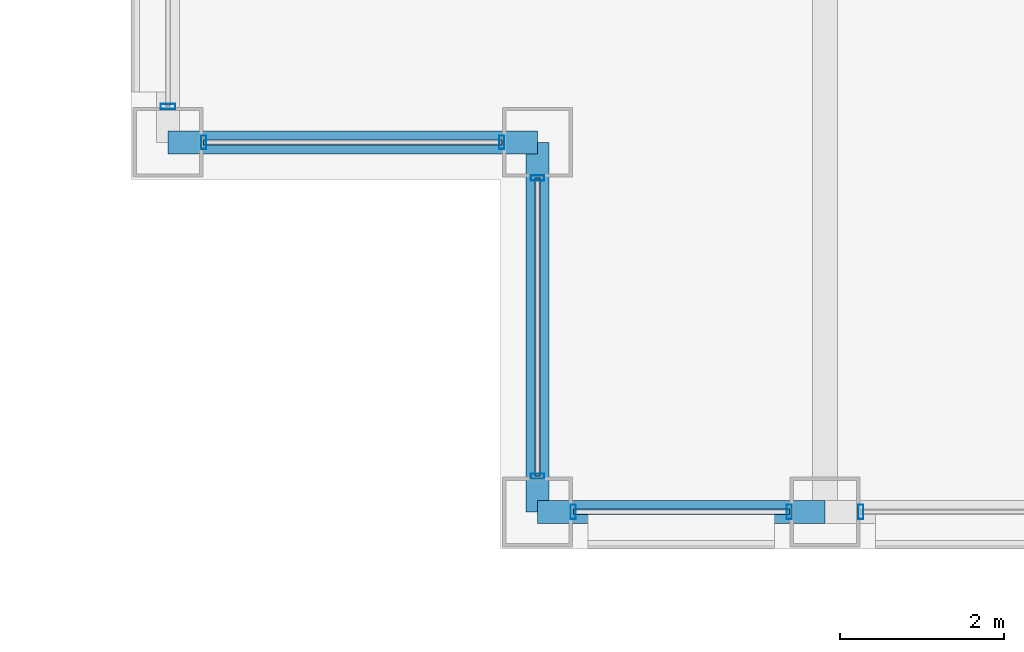
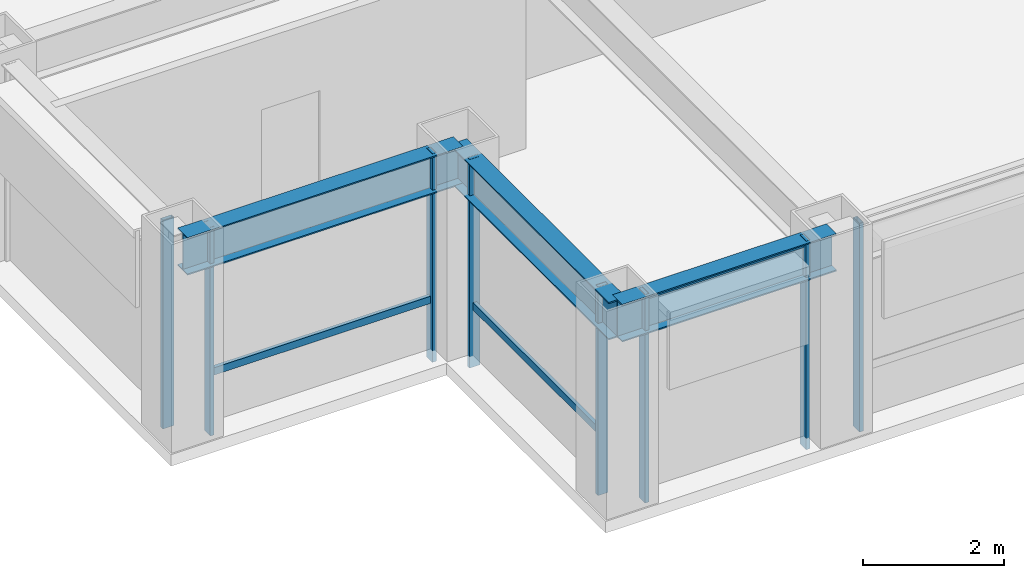
# One storey, part 2 of 30: 11 members, 3 beams, 5 elements without a shape of their own.
"""IFC4 building model written with IfcOpenShell, lengths in metres."""

from ifc_helpers import new_model, si_unit, direction, frame, origin, origin_2d, place, context, subcontext, project, spatial, hollow_rectangle, i_section, extrude, material, layer, layer_set, material_profile, profile_set, type_object, element, aggregate, save


model = new_model("IFC4")

# Units and contexts
model_context = context("Model", 3, precision=1e-05, world=origin(), true_north=direction((0.0, 1.0)))
body_context = subcontext(model_context, "Body", "Model", "MODEL_VIEW")
ifc_project = project(units=[si_unit("LENGTHUNIT", "METRE"), si_unit("AREAUNIT", "SQUARE_METRE"), si_unit("VOLUMEUNIT", "CUBIC_METRE"), si_unit("PLANEANGLEUNIT", "RADIAN"), si_unit("MASSUNIT", "GRAM", prefix="KILO")], contexts=[model_context])

# Site, building, storey
site_placement = place(None, origin())
site = spatial("IfcSite", under=ifc_project, at=site_placement, CompositionType="ELEMENT")
building_placement = place(site_placement, origin())
building = spatial("IfcBuilding", under=site, at=building_placement, Name="Brelmoor Portico Tower", CompositionType="ELEMENT")
storey_placement = place(building_placement, frame((0.0, 0.0, 102.60009765625)))
storey = spatial("IfcBuildingStorey", under=building, at=storey_placement, Name="L26", CompositionType="ELEMENT", Elevation=102.60009765625)

# Beams
ifc_material_1 = material(Name="Steel Q355B", Category="steel")
ifc_material_profile_1 = material_profile(ifc_material_1, i_section(OverallWidth=0.280029296875, OverallDepth=0.64990234375, WebThickness=0.012939453125, FlangeThickness=0.02197265625, at=origin_2d()), Name="HN 650x280x13x22")
ifc_profile_set_1 = profile_set([ifc_material_profile_1], Name="Steel Q355B")
beam_type = type_object("IfcBeamType", Name="BM-SP-650", PredefinedType="SPANDREL", material=ifc_profile_set_1)
beam_placement = place(storey_placement, frame((-18.050048828125, -19.550048828125, 3.074951171875), z_axis=(1.0, 0.0, 0.0), x_axis=(0.0, 1.0, 0.0)))
element("IfcBeam", 1, at=beam_placement, inside=storey, type_object=beam_type, Name="L26 Perimeter Spandrel Beam SP-01", PredefinedType="SPANDREL", context=body_context, shape_type="SweptSolid", body=[
    extrude(i_section(OverallWidth=0.280029296875, OverallDepth=0.64990234375, WebThickness=0.012939453125, FlangeThickness=0.02197265625, at=origin_2d()), origin(), (0.0, 0.0, 1.0), 3.5),
])
for number, where, z_axis, x_axis, name in (
    (2, (-22.550048828125, -15.050048828125, 3.074951171875), (1.0, 0.0, 0.0), (0.0, 1.0, 0.0), "L26 Perimeter Spandrel Beam SP-06"),
    (3, (-18.050048828125, -19.550048828125, 3.074951171875), (0.0, 1.0, 0.0), (-1.0, 0.0, 0.0), "L26 Perimeter Spandrel Beam SP-18"),
):
    element("IfcBeam", number, at=place(storey_placement, frame(where, z_axis=z_axis, x_axis=x_axis)), inside=storey, type_object=beam_type, Name=name, PredefinedType="SPANDREL", context=body_context, shape_type="SweptSolid", body=[
        extrude(i_section(OverallWidth=0.280029296875, OverallDepth=0.64990234375, WebThickness=0.012939453125, FlangeThickness=0.02197265625, at=origin_2d()), origin(), (0.0, 0.0, 1.0), 4.5),
    ])

# Curtain wall, members
ifc_material_2 = material(Name="Anodised Aluminium Alloy 6063-T6", Category="aluminium")
ifc_layer_1 = layer(ifc_material_2, 0.179931640625)
ifc_layer_set_1 = layer_set([ifc_layer_1], Name="Anodised Aluminium Alloy 6063-T6")
curtain_wall_type_1 = type_object("IfcCurtainWallType", Name="CW-NOTCH-CHAMFER", PredefinedType="NOTDEFINED", material=ifc_layer_set_1)
curtain_wall_1_placement = place(storey_placement, origin())
curtain_wall_1 = element("IfcCurtainWall", 4, at=curtain_wall_1_placement, inside=storey, type_object=curtain_wall_type_1, Name="L26 Curtain Wall CWN-L26-SWH", PredefinedType="NOTDEFINED")
ifc_material_profile_2 = material_profile(ifc_material_2, hollow_rectangle(XDim=0.06494140625, YDim=0.1650390625, WallThickness=0.00390625, at=origin_2d()), Name="ALU MULLION 65x165")
ifc_profile_set_2 = profile_set([ifc_material_profile_2], Name="Anodised Aluminium Alloy 6063-T6")
member_type_1 = type_object("IfcMemberType", Name="MB-CW-MULL-165", PredefinedType="MULLION", material=ifc_profile_set_2)
member_1_placement = place(storey_placement, frame((-22.114990234375, -15.050048828125, -0.2001953125), z_axis=(0.0, 0.0, 1.0), x_axis=(1.0, 0.0, 0.0)))
member_1 = element("IfcMember", 5, at=member_1_placement, type_object=member_type_1, Name="CWN-L26-SWH Mullion 00", PredefinedType="MULLION", context=body_context, shape_type="SweptSolid", body=[
    extrude(hollow_rectangle(XDim=0.06494140625, YDim=0.1650390625, WallThickness=0.00390625, at=origin_2d()), origin(), (0.0, 0.0, 1.0), 3.60009765625),
])
member_2_placement = place(storey_placement, frame((-18.485107421875, -15.050048828125, -0.2001953125), z_axis=(0.0, 0.0, 1.0), x_axis=(1.0, 0.0, 0.0)))
member_2 = element("IfcMember", 6, at=member_2_placement, type_object=member_type_1, Name="CWN-L26-SWH Mullion 01", PredefinedType="MULLION", context=body_context, shape_type="SweptSolid", body=[
    extrude(hollow_rectangle(XDim=0.06494140625, YDim=0.1650390625, WallThickness=0.00390625, at=origin_2d()), origin(), (0.0, 0.0, 1.0), 3.60009765625),
])

curtain_wall_2_placement = place(storey_placement, origin())
curtain_wall_2 = element("IfcCurtainWall", 7, at=curtain_wall_2_placement, inside=storey, type_object=curtain_wall_type_1, Name="L26 Curtain Wall CWN-L26-SWV", PredefinedType="NOTDEFINED")
member_3_placement = place(storey_placement, frame((-18.050048828125, -19.114990234375, -0.2001953125), z_axis=(0.0, 0.0, 1.0), x_axis=(0.0, 1.0, 0.0)))
member_3 = element("IfcMember", 8, at=member_3_placement, type_object=member_type_1, Name="CWN-L26-SWV Mullion 00", PredefinedType="MULLION", context=body_context, shape_type="SweptSolid", body=[
    extrude(hollow_rectangle(XDim=0.06494140625, YDim=0.1650390625, WallThickness=0.00390625, at=origin_2d()), origin(), (0.0, 0.0, 1.0), 3.60009765625),
])
member_4_placement = place(storey_placement, frame((-18.050048828125, -15.485107421875, -0.2001953125), z_axis=(0.0, 0.0, 1.0), x_axis=(0.0, 1.0, 0.0)))
member_4 = element("IfcMember", 9, at=member_4_placement, type_object=member_type_1, Name="CWN-L26-SWV Mullion 01", PredefinedType="MULLION", context=body_context, shape_type="SweptSolid", body=[
    extrude(hollow_rectangle(XDim=0.06494140625, YDim=0.1650390625, WallThickness=0.00390625, at=origin_2d()), origin(), (0.0, 0.0, 1.0), 3.60009765625),
])

ifc_layer_2 = layer(ifc_material_2, 0.179931640625)
ifc_layer_set_2 = layer_set([ifc_layer_2], Name="Anodised Aluminium Alloy 6063-T6")
curtain_wall_type_2 = type_object("IfcCurtainWallType", Name="CW-TOWER-Z2-XB", PredefinedType="NOTDEFINED", material=ifc_layer_set_2)
curtain_wall_3_placement = place(storey_placement, origin())
curtain_wall_3 = element("IfcCurtainWall", 10, at=curtain_wall_3_placement, inside=storey, type_object=curtain_wall_type_2, Name="L26 Curtain Wall CW-L26-1L-1", PredefinedType="NOTDEFINED")
ifc_material_profile_3 = material_profile(ifc_material_2, hollow_rectangle(XDim=0.06494140625, YDim=0.179931640625, WallThickness=0.00390625, at=origin_2d()), Name="ALU MULLION 65x180")
ifc_profile_set_3 = profile_set([ifc_material_profile_3], Name="Anodised Aluminium Alloy 6063-T6")
member_type_2 = type_object("IfcMemberType", Name="MB-CW-MULL-180", PredefinedType="MULLION", material=ifc_profile_set_3)
member_5_placement = place(storey_placement, frame((-17.614990234375, -19.550048828125, -0.2001953125), z_axis=(0.0, 0.0, 1.0), x_axis=(1.0, 0.0, 0.0)))
member_5 = element("IfcMember", 11, at=member_5_placement, type_object=member_type_2, Name="CW-L26-1L-1 Mullion 00", PredefinedType="MULLION", context=body_context, shape_type="SweptSolid", body=[
    extrude(hollow_rectangle(XDim=0.06494140625, YDim=0.179931640625, WallThickness=0.00390625, at=origin_2d()), origin(), (0.0, 0.0, 1.0), 3.60009765625),
])
member_6_placement = place(storey_placement, frame((-14.985107421875, -19.550048828125, -0.2001953125), z_axis=(0.0, 0.0, 1.0), x_axis=(1.0, 0.0, 0.0)))
member_6 = element("IfcMember", 12, at=member_6_placement, type_object=member_type_2, Name="CW-L26-1L-1 Mullion 01", PredefinedType="MULLION", context=body_context, shape_type="SweptSolid", body=[
    extrude(hollow_rectangle(XDim=0.06494140625, YDim=0.179931640625, WallThickness=0.00390625, at=origin_2d()), origin(), (0.0, 0.0, 1.0), 3.60009765625),
])

# Curtain wall, member
ifc_layer_3 = layer(ifc_material_2, 0.179931640625)
ifc_layer_set_3 = layer_set([ifc_layer_3], Name="Anodised Aluminium Alloy 6063-T6")
curtain_wall_type_3 = type_object("IfcCurtainWallType", Name="CW-TOWER-Z2", PredefinedType="NOTDEFINED", material=ifc_layer_set_3)
curtain_wall_4_placement = place(storey_placement, origin())
curtain_wall_4 = element("IfcCurtainWall", 13, at=curtain_wall_4_placement, inside=storey, type_object=curtain_wall_type_3, Name="L26 Curtain Wall CW-L26-1L-2", PredefinedType="NOTDEFINED")
member_7_placement = place(storey_placement, frame((-14.114990234375, -19.550048828125, -0.2001953125), z_axis=(0.0, 0.0, 1.0), x_axis=(1.0, 0.0, 0.0)))
member_7 = element("IfcMember", 14, at=member_7_placement, type_object=member_type_2, Name="CW-L26-1L-2 Mullion 00", PredefinedType="MULLION", context=body_context, shape_type="SweptSolid", body=[
    extrude(hollow_rectangle(XDim=0.06494140625, YDim=0.179931640625, WallThickness=0.00390625, at=origin_2d()), origin(), (0.0, 0.0, 1.0), 3.60009765625),
])
aggregate(curtain_wall_4, [member_7])

curtain_wall_5_placement = place(storey_placement, origin())
curtain_wall_5 = element("IfcCurtainWall", 15, at=curtain_wall_5_placement, inside=storey, type_object=curtain_wall_type_2, Name="L26 Curtain Wall CW-L26-3L-1", PredefinedType="NOTDEFINED")
member_8_placement = place(storey_placement, frame((-22.550048828125, -14.614990234375, -0.2001953125), z_axis=(0.0, 0.0, 1.0), x_axis=(0.0, 1.0, 0.0)))
member_8 = element("IfcMember", 16, at=member_8_placement, type_object=member_type_2, Name="CW-L26-3L-1 Mullion 00", PredefinedType="MULLION", context=body_context, shape_type="SweptSolid", body=[
    extrude(hollow_rectangle(XDim=0.06494140625, YDim=0.179931640625, WallThickness=0.00390625, at=origin_2d()), origin(), (0.0, 0.0, 1.0), 3.60009765625),
])
aggregate(curtain_wall_5, [member_8])

# Member
ifc_material_profile_4 = material_profile(ifc_material_2, hollow_rectangle(XDim=0.06005859375, YDim=0.125, WallThickness=0.00341796875, at=origin_2d()), Name="ALU TRANSOM 60x125")
ifc_profile_set_4 = profile_set([ifc_material_profile_4], Name="Anodised Aluminium Alloy 6063-T6")
member_type_3 = type_object("IfcMemberType", Name="MB-CW-TRAN-125", PredefinedType="USERDEFINED", material=ifc_profile_set_4)
member_9_placement = place(storey_placement, frame((-22.114990234375, -15.050048828125, 0.849853515625), z_axis=(1.0, 0.0, 0.0), x_axis=(0.0, 1.0, 0.0)))
member_9 = element("IfcMember", 17, at=member_9_placement, type_object=member_type_3, Name="CWN-L26-SWH Transom 1-00", ObjectType="TRANSOM", PredefinedType="USERDEFINED", context=body_context, shape_type="SweptSolid", body=[
    extrude(hollow_rectangle(XDim=0.06005859375, YDim=0.125, WallThickness=0.00341796875, at=origin_2d()), origin(), (0.0, 0.0, 1.0), 3.6298828125),
])

aggregate(curtain_wall_1, [member_1, member_2, member_9])

member_10_placement = place(storey_placement, frame((-18.050048828125, -19.114990234375, 0.849853515625), z_axis=(0.0, 1.0, 0.0), x_axis=(-1.0, 0.0, 0.0)))
member_10 = element("IfcMember", 18, at=member_10_placement, type_object=member_type_3, Name="CWN-L26-SWV Transom 1-00", ObjectType="TRANSOM", PredefinedType="USERDEFINED", context=body_context, shape_type="SweptSolid", body=[
    extrude(hollow_rectangle(XDim=0.06005859375, YDim=0.125, WallThickness=0.00341796875, at=origin_2d()), origin(), (0.0, 0.0, 1.0), 3.6298828125),
])

aggregate(curtain_wall_2, [member_3, member_4, member_10])

ifc_material_profile_5 = material_profile(ifc_material_2, hollow_rectangle(XDim=0.06494140625, YDim=0.139892578125, WallThickness=0.00390625, at=origin_2d()), Name="ALU TRANSOM 65x140")
ifc_profile_set_5 = profile_set([ifc_material_profile_5], Name="Anodised Aluminium Alloy 6063-T6")
member_type_4 = type_object("IfcMemberType", Name="MB-CW-TRAN-140", PredefinedType="USERDEFINED", material=ifc_profile_set_5)
member_11_placement = place(storey_placement, frame((-17.614990234375, -19.550048828125, 3.329833984375), z_axis=(1.0, 0.0, 0.0), x_axis=(0.0, 1.0, 0.0)))
member_11 = element("IfcMember", 19, at=member_11_placement, type_object=member_type_4, Name="CW-L26-1L-1 Transom 1-00", ObjectType="TRANSOM", PredefinedType="USERDEFINED", context=body_context, shape_type="SweptSolid", body=[
    extrude(hollow_rectangle(XDim=0.06494140625, YDim=0.139892578125, WallThickness=0.00390625, at=origin_2d()), origin(), (0.0, 0.0, 1.0), 2.6298828125),
])

aggregate(curtain_wall_3, [member_5, member_6, member_11])

save(model, "model.ifc")
